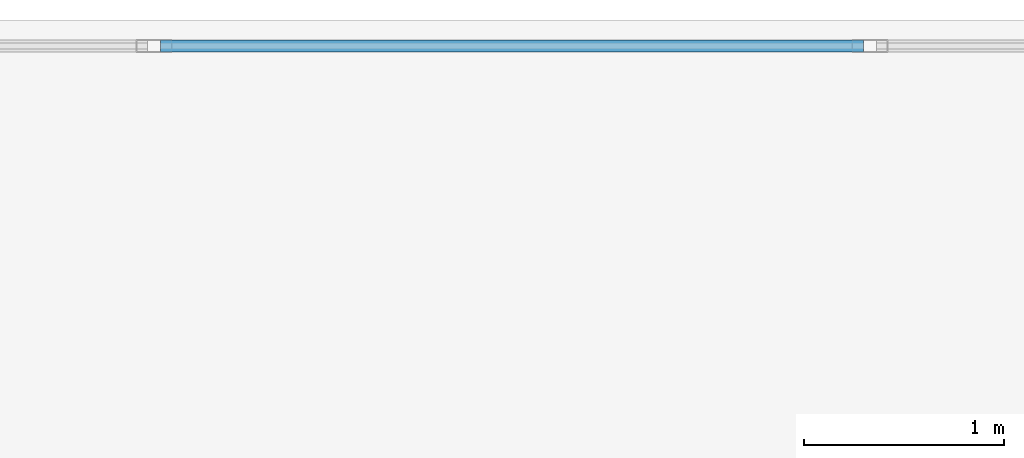
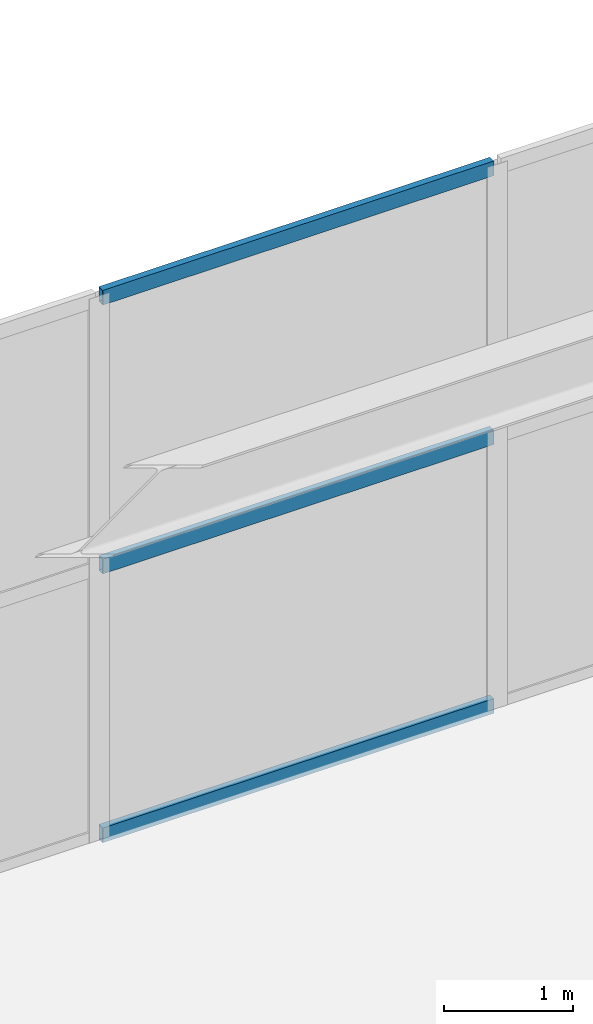
# One storey, part 21 of 37: 3 members, 1 element without a shape of its own.
"""IFC4 building model written with IfcOpenShell, lengths in metres."""

from ifc_helpers import new_model, si_unit, direction, frame, origin, origin_2d, place, context, subcontext, project, spatial, hollow_rectangle, extrude, material, layer, layer_set, material_profile, profile_set, type_object, element, aggregate, save


model = new_model("IFC4")

# Units and contexts
model_context = context("Model", 3, precision=1e-05, world=origin(), true_north=direction((0.0, 1.0)))
body_context = subcontext(model_context, "Body", "Model", "MODEL_VIEW")
ifc_project = project(units=[si_unit("LENGTHUNIT", "METRE"), si_unit("AREAUNIT", "SQUARE_METRE"), si_unit("VOLUMEUNIT", "CUBIC_METRE"), si_unit("PLANEANGLEUNIT", "RADIAN"), si_unit("MASSUNIT", "GRAM", prefix="KILO")], contexts=[model_context])

# Site, building, storey
site_placement = place(None, origin())
site = spatial("IfcSite", under=ifc_project, at=site_placement, CompositionType="ELEMENT")
building_placement = place(site_placement, origin())
building = spatial("IfcBuilding", under=site, at=building_placement, Name="Haolan Belvedere Tower", CompositionType="ELEMENT")
storey_placement = place(building_placement, frame((0.0, 0.0, 10.199951171875)))
storey = spatial("IfcBuildingStorey", under=building, at=storey_placement, Name="L02", CompositionType="ELEMENT", Elevation=10.199951171875)

# Curtain wall, members
ifc_material_1 = material(Name="Anodised champagne-silver aluminium 6063-T6 and Low-E glass", Category="aluminium")
ifc_layer = layer(ifc_material_1, 0.179931640625, Name="Anodised champagne-silver aluminium 6063-T6 and Low-E glass")
ifc_layer_set = layer_set([ifc_layer], Name="Anodised champagne-silver aluminium 6063-T6 and Low-E glass")
curtain_wall_type = type_object("IfcCurtainWallType", Name="CW-SYS-01", PredefinedType="NOTDEFINED", material=ifc_layer_set)
curtain_wall_placement = place(storey_placement, origin())
curtain_wall = element("IfcCurtainWall", 1, at=curtain_wall_placement, inside=storey, type_object=curtain_wall_type, Name="L02 CW-SYS-01 ribbon curtain wall 3.1", PredefinedType="NOTDEFINED")
ifc_material_2 = material(Name="Anodised aluminium 6063-T6", Category="aluminium")
ifc_material_profile = material_profile(ifc_material_2, hollow_rectangle(XDim=0.06005859375, YDim=0.139892578125, WallThickness=0.00390625, at=origin_2d()), Name="Anodised aluminium 6063-T6")
ifc_profile_set = profile_set([ifc_material_profile], Name="Anodised aluminium 6063-T6")
member_type = type_object("IfcMemberType", Name="CW-SYS-01-TRN", PredefinedType="USERDEFINED", material=ifc_profile_set)
member_1_placement = place(storey_placement, frame((66.951416015625, 53.8701171875, 0.030029296875), z_axis=(-1.0, 0.0, 0.0), x_axis=(0.0, -1.0, 0.0)))
member_1 = element("IfcMember", 2, at=member_1_placement, type_object=member_type, Name="CW-01 transom 3.1", ObjectType="TRANSOM", PredefinedType="USERDEFINED", context=body_context, shape_type="SweptSolid", body=[
    extrude(hollow_rectangle(XDim=0.06005859375, YDim=0.139892578125, WallThickness=0.00390625, at=origin_2d()), origin(), (0.0, 0.0, 1.0), 3.5078125),
])
member_2_placement = place(storey_placement, frame((66.951416015625, 53.8701171875, 2.580078125), z_axis=(-1.0, 0.0, 0.0), x_axis=(0.0, -1.0, 0.0)))
member_2 = element("IfcMember", 3, at=member_2_placement, type_object=member_type, Name="CW-01 transom 3.2", ObjectType="TRANSOM", PredefinedType="USERDEFINED", context=body_context, shape_type="SweptSolid", body=[
    extrude(hollow_rectangle(XDim=0.06005859375, YDim=0.139892578125, WallThickness=0.00390625, at=origin_2d()), origin(), (0.0, 0.0, 1.0), 3.5078125),
])
member_3_placement = place(storey_placement, frame((66.951416015625, 53.8701171875, 5.130126953125), z_axis=(-1.0, 0.0, 0.0), x_axis=(0.0, -1.0, 0.0)))
member_3 = element("IfcMember", 4, at=member_3_placement, type_object=member_type, Name="CW-01 transom 3.3", ObjectType="TRANSOM", PredefinedType="USERDEFINED", context=body_context, shape_type="SweptSolid", body=[
    extrude(hollow_rectangle(XDim=0.06005859375, YDim=0.139892578125, WallThickness=0.00390625, at=origin_2d()), origin(), (0.0, 0.0, 1.0), 3.5078125),
])
aggregate(curtain_wall, [member_1, member_2, member_3])

save(model, "model.ifc")
